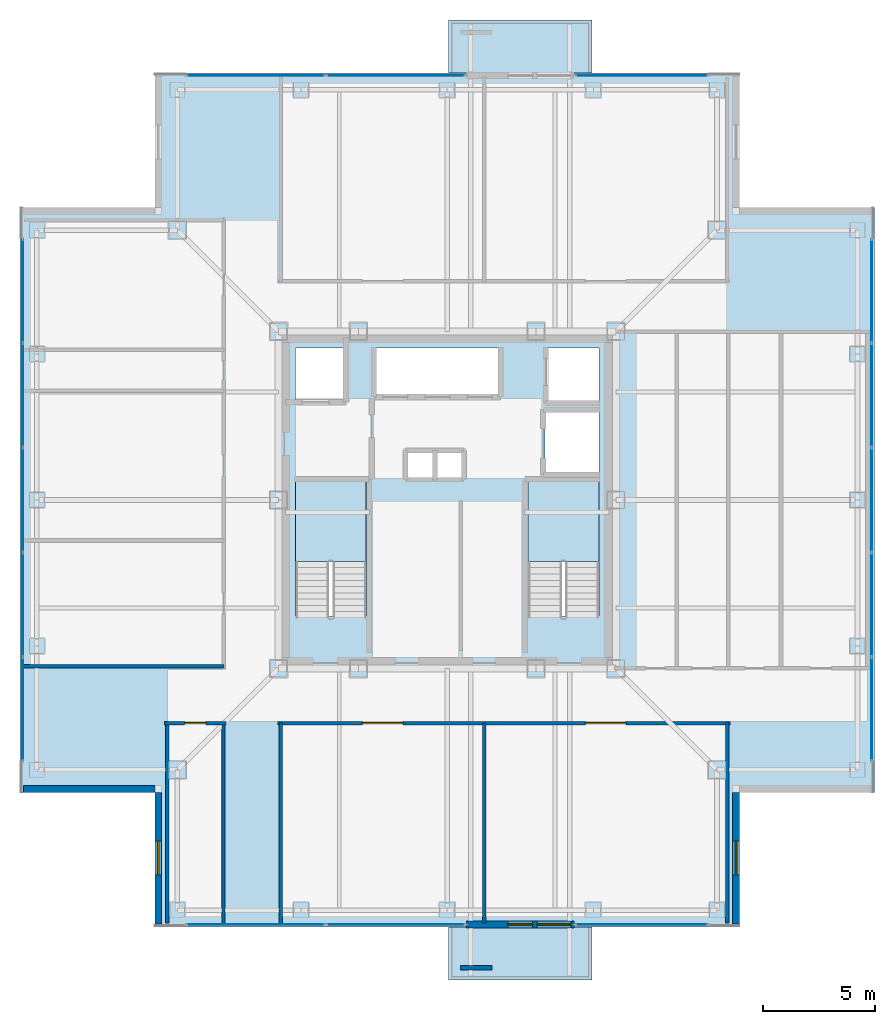
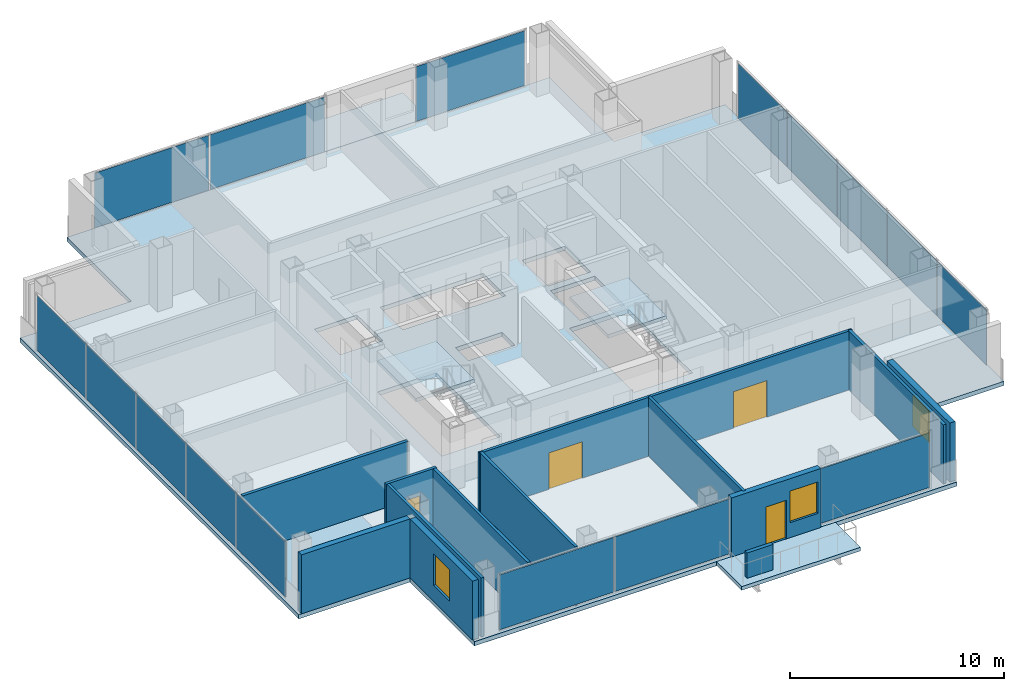
# One storey, part 7 of 15: 16 plates, 13 walls, 5 slabs, 4 doors, 3 windows, 7 openings, 8 elements without a shape of their own.
"""IFC4 building model written with IfcOpenShell, lengths in metres."""

from ifc_helpers import new_model, si_unit, direction, frame, frame_2d, origin, origin_2d, place, context, subcontext, project, spatial, polyline, rectangle, outline, extrude, material, layer, layer_set, type_object, element, fill, aggregate, save


model = new_model("IFC4")

# Units and contexts
model_context = context("Model", 3, precision=1e-05, world=origin(), true_north=direction((0.0, 1.0)))
body_context = subcontext(model_context, "Body", "Model", "MODEL_VIEW")
ifc_project = project(units=[si_unit("LENGTHUNIT", "METRE"), si_unit("AREAUNIT", "SQUARE_METRE"), si_unit("VOLUMEUNIT", "CUBIC_METRE"), si_unit("PLANEANGLEUNIT", "RADIAN"), si_unit("MASSUNIT", "GRAM", prefix="KILO")], contexts=[model_context])

# Site, building, storey
site_placement = place(None, origin())
site = spatial("IfcSite", under=ifc_project, at=site_placement, CompositionType="ELEMENT")
building_placement = place(site_placement, origin())
building = spatial("IfcBuilding", under=site, at=building_placement, Name="Trevonay Congress Spire", CompositionType="ELEMENT")
storey_placement = place(building_placement, frame((0.0, 0.0, 275.60009765625)))
storey = spatial("IfcBuildingStorey", under=building, at=storey_placement, Name="L72", CompositionType="ELEMENT", Elevation=275.60009765625)

# Curtain wall, plates
ifc_material_1 = material(Name="Pale Anodised Aluminium EN AW-6063-T6", Category="aluminium")
ifc_layer_1 = layer(ifc_material_1, 0.1650390625, Name="Pale Anodised Aluminium EN AW-6063-T6")
ifc_layer_set_1 = layer_set([ifc_layer_1], Name="Pale Anodised Aluminium EN AW-6063-T6")
curtain_wall_type = type_object("IfcCurtainWallType", Name="CW-SYS05-DIPLOM-PALE-METAL", PredefinedType="NOTDEFINED", material=ifc_layer_set_1)
curtain_wall_1_placement = place(storey_placement, origin())
curtain_wall_1 = element("IfcCurtainWall", 1, at=curtain_wall_1_placement, inside=storey, type_object=curtain_wall_type, Name="L72 SA unitised curtain wall", PredefinedType="NOTDEFINED")
ifc_material_2 = material(Name="Insulated Low-E Vision Glass IGU", Category="glass")
ifc_layer_2 = layer(ifc_material_2, 0.035888671875, Name="Insulated Low-E Vision Glass IGU")
ifc_layer_set_2 = layer_set([ifc_layer_2], Name="Insulated Low-E Vision Glass IGU")
plate_type = type_object("IfcPlateType", Name="CW-PANEL-IGU36-SILVER", PredefinedType="CURTAIN_PANEL", material=ifc_layer_set_2)
plate_1_placement = place(storey_placement, frame((-8.510009765625, -18.8798828125, 0.119873046875), z_axis=(0.0, 0.0, 1.0), x_axis=(1.0, 0.0, 0.0)))
plate_1 = element("IfcPlate", 2, at=plate_1_placement, type_object=plate_type, Name="CW05 panel 1.1", PredefinedType="CURTAIN_PANEL", context=body_context, shape_type="SweptSolid", body=[
    extrude(rectangle(XDim=6.159912109375, YDim=0.035888671875, at=origin_2d()), origin(), (0.0, 0.0, 1.0), 3.1201171875),
])
plate_2_placement = place(storey_placement, frame((-2.2900390625, -18.8798828125, 0.119873046875), z_axis=(0.0, 0.0, 1.0), x_axis=(1.0, 0.0, 0.0)))
plate_2 = element("IfcPlate", 3, at=plate_2_placement, type_object=plate_type, Name="CW05 panel 2.1", PredefinedType="CURTAIN_PANEL", context=body_context, shape_type="SweptSolid", body=[
    extrude(rectangle(XDim=6.159912109375, YDim=0.035888671875, at=origin_2d()), origin(), (0.0, 0.0, 1.0), 3.1201171875),
])
aggregate(curtain_wall_1, [plate_1, plate_2])

# Curtain wall, plate
curtain_wall_2_placement = place(storey_placement, origin())
curtain_wall_2 = element("IfcCurtainWall", 4, at=curtain_wall_2_placement, inside=storey, type_object=curtain_wall_type, Name="L72 SB unitised curtain wall", PredefinedType="NOTDEFINED")
plate_3_placement = place(storey_placement, frame((8.64990234375, -18.8798828125, 0.119873046875), z_axis=(0.0, 0.0, 1.0), x_axis=(1.0, 0.0, 0.0)))
plate_3 = element("IfcPlate", 5, at=plate_3_placement, type_object=plate_type, Name="CW05 panel 1.1", PredefinedType="CURTAIN_PANEL", context=body_context, shape_type="SweptSolid", body=[
    extrude(rectangle(XDim=5.8798828125, YDim=0.035888671875, at=origin_2d()), origin(), (0.0, 0.0, 1.0), 3.1201171875),
])
aggregate(curtain_wall_2, [plate_3])

# Curtain wall, plates
curtain_wall_3_placement = place(storey_placement, origin())
curtain_wall_3 = element("IfcCurtainWall", 6, at=curtain_wall_3_placement, inside=storey, type_object=curtain_wall_type, Name="L72 NA unitised curtain wall", PredefinedType="NOTDEFINED")
plate_4_placement = place(storey_placement, frame((-8.510009765625, 18.8798828125, 0.119873046875), z_axis=(0.0, 0.0, 1.0), x_axis=(1.0, 0.0, 0.0)))
plate_4 = element("IfcPlate", 7, at=plate_4_placement, type_object=plate_type, Name="CW05 panel 1.1", PredefinedType="CURTAIN_PANEL", context=body_context, shape_type="SweptSolid", body=[
    extrude(rectangle(XDim=6.159912109375, YDim=0.035888671875, at=origin_2d()), origin(), (0.0, 0.0, 1.0), 3.1201171875),
])
plate_5_placement = place(storey_placement, frame((-2.2900390625, 18.8798828125, 0.119873046875), z_axis=(0.0, 0.0, 1.0), x_axis=(1.0, 0.0, 0.0)))
plate_5 = element("IfcPlate", 8, at=plate_5_placement, type_object=plate_type, Name="CW05 panel 2.1", PredefinedType="CURTAIN_PANEL", context=body_context, shape_type="SweptSolid", body=[
    extrude(rectangle(XDim=6.159912109375, YDim=0.035888671875, at=origin_2d()), origin(), (0.0, 0.0, 1.0), 3.1201171875),
])
aggregate(curtain_wall_3, [plate_4, plate_5])

# Curtain wall, plate
curtain_wall_4_placement = place(storey_placement, origin())
curtain_wall_4 = element("IfcCurtainWall", 9, at=curtain_wall_4_placement, inside=storey, type_object=curtain_wall_type, Name="L72 NB unitised curtain wall", PredefinedType="NOTDEFINED")
plate_6_placement = place(storey_placement, frame((8.64990234375, 18.8798828125, 0.119873046875), z_axis=(0.0, 0.0, 1.0), x_axis=(1.0, 0.0, 0.0)))
plate_6 = element("IfcPlate", 10, at=plate_6_placement, type_object=plate_type, Name="CW05 panel 1.1", PredefinedType="CURTAIN_PANEL", context=body_context, shape_type="SweptSolid", body=[
    extrude(rectangle(XDim=5.8798828125, YDim=0.035888671875, at=origin_2d()), origin(), (0.0, 0.0, 1.0), 3.1201171875),
])
aggregate(curtain_wall_4, [plate_6])

# Curtain wall, plates
curtain_wall_5_placement = place(storey_placement, origin())
curtain_wall_5 = element("IfcCurtainWall", 11, at=curtain_wall_5_placement, inside=storey, type_object=curtain_wall_type, Name="L72 W unitised curtain wall", PredefinedType="NOTDEFINED")
plate_7_placement = place(storey_placement, frame((-18.8798828125, -9.304931640625, 0.119873046875), z_axis=(0.0, 0.0, 1.0), x_axis=(0.0, 1.0, 0.0)))
plate_7 = element("IfcPlate", 12, at=plate_7_placement, type_object=plate_type, Name="CW05 panel 1.1", PredefinedType="CURTAIN_PANEL", context=body_context, shape_type="SweptSolid", body=[
    extrude(rectangle(XDim=4.570068359375, YDim=0.035888671875, at=origin_2d()), origin(), (0.0, 0.0, 1.0), 3.1201171875),
])
plate_8_placement = place(storey_placement, frame((-18.8798828125, -4.659912109375, 0.119873046875), z_axis=(0.0, 0.0, 1.0), x_axis=(0.0, 1.0, 0.0)))
plate_8 = element("IfcPlate", 13, at=plate_8_placement, type_object=plate_type, Name="CW05 panel 2.1", PredefinedType="CURTAIN_PANEL", context=body_context, shape_type="SweptSolid", body=[
    extrude(rectangle(XDim=4.60009765625, YDim=0.035888671875, at=origin_2d()), origin(), (0.0, 0.0, 1.0), 3.1201171875),
])
plate_9_placement = place(storey_placement, frame((-18.8798828125, 0.0, 0.119873046875), z_axis=(0.0, 0.0, 1.0), x_axis=(0.0, 1.0, 0.0)))
plate_9 = element("IfcPlate", 14, at=plate_9_placement, type_object=plate_type, Name="CW05 panel 3.1", PredefinedType="CURTAIN_PANEL", context=body_context, shape_type="SweptSolid", body=[
    extrude(rectangle(XDim=4.60009765625, YDim=0.035888671875, at=origin_2d()), origin(), (0.0, 0.0, 1.0), 3.1201171875),
])
plate_10_placement = place(storey_placement, frame((-18.8798828125, 4.659912109375, 0.119873046875), z_axis=(0.0, 0.0, 1.0), x_axis=(0.0, 1.0, 0.0)))
plate_10 = element("IfcPlate", 15, at=plate_10_placement, type_object=plate_type, Name="CW05 panel 4.1", PredefinedType="CURTAIN_PANEL", context=body_context, shape_type="SweptSolid", body=[
    extrude(rectangle(XDim=4.60009765625, YDim=0.035888671875, at=origin_2d()), origin(), (0.0, 0.0, 1.0), 3.1201171875),
])
plate_11_placement = place(storey_placement, frame((-18.8798828125, 9.304931640625, 0.119873046875), z_axis=(0.0, 0.0, 1.0), x_axis=(0.0, 1.0, 0.0)))
plate_11 = element("IfcPlate", 16, at=plate_11_placement, type_object=plate_type, Name="CW05 panel 5.1", PredefinedType="CURTAIN_PANEL", context=body_context, shape_type="SweptSolid", body=[
    extrude(rectangle(XDim=4.570068359375, YDim=0.035888671875, at=origin_2d()), origin(), (0.0, 0.0, 1.0), 3.1201171875),
])
aggregate(curtain_wall_5, [plate_7, plate_8, plate_9, plate_10, plate_11])

curtain_wall_6_placement = place(storey_placement, origin())
curtain_wall_6 = element("IfcCurtainWall", 17, at=curtain_wall_6_placement, inside=storey, type_object=curtain_wall_type, Name="L72 E unitised curtain wall", PredefinedType="NOTDEFINED")
plate_12_placement = place(storey_placement, frame((18.8798828125, -9.304931640625, 0.119873046875), z_axis=(0.0, 0.0, 1.0), x_axis=(0.0, 1.0, 0.0)))
plate_12 = element("IfcPlate", 18, at=plate_12_placement, type_object=plate_type, Name="CW05 panel 1.1", PredefinedType="CURTAIN_PANEL", context=body_context, shape_type="SweptSolid", body=[
    extrude(rectangle(XDim=4.570068359375, YDim=0.035888671875, at=origin_2d()), origin(), (0.0, 0.0, 1.0), 3.1201171875),
])
plate_13_placement = place(storey_placement, frame((18.8798828125, -4.659912109375, 0.119873046875), z_axis=(0.0, 0.0, 1.0), x_axis=(0.0, 1.0, 0.0)))
plate_13 = element("IfcPlate", 19, at=plate_13_placement, type_object=plate_type, Name="CW05 panel 2.1", PredefinedType="CURTAIN_PANEL", context=body_context, shape_type="SweptSolid", body=[
    extrude(rectangle(XDim=4.60009765625, YDim=0.035888671875, at=origin_2d()), origin(), (0.0, 0.0, 1.0), 3.1201171875),
])
plate_14_placement = place(storey_placement, frame((18.8798828125, 0.0, 0.119873046875), z_axis=(0.0, 0.0, 1.0), x_axis=(0.0, 1.0, 0.0)))
plate_14 = element("IfcPlate", 20, at=plate_14_placement, type_object=plate_type, Name="CW05 panel 3.1", PredefinedType="CURTAIN_PANEL", context=body_context, shape_type="SweptSolid", body=[
    extrude(rectangle(XDim=4.60009765625, YDim=0.035888671875, at=origin_2d()), origin(), (0.0, 0.0, 1.0), 3.1201171875),
])
plate_15_placement = place(storey_placement, frame((18.8798828125, 4.659912109375, 0.119873046875), z_axis=(0.0, 0.0, 1.0), x_axis=(0.0, 1.0, 0.0)))
plate_15 = element("IfcPlate", 21, at=plate_15_placement, type_object=plate_type, Name="CW05 panel 4.1", PredefinedType="CURTAIN_PANEL", context=body_context, shape_type="SweptSolid", body=[
    extrude(rectangle(XDim=4.60009765625, YDim=0.035888671875, at=origin_2d()), origin(), (0.0, 0.0, 1.0), 3.1201171875),
])
plate_16_placement = place(storey_placement, frame((18.8798828125, 9.304931640625, 0.119873046875), z_axis=(0.0, 0.0, 1.0), x_axis=(0.0, 1.0, 0.0)))
plate_16 = element("IfcPlate", 22, at=plate_16_placement, type_object=plate_type, Name="CW05 panel 5.1", PredefinedType="CURTAIN_PANEL", context=body_context, shape_type="SweptSolid", body=[
    extrude(rectangle(XDim=4.570068359375, YDim=0.035888671875, at=origin_2d()), origin(), (0.0, 0.0, 1.0), 3.1201171875),
])
aggregate(curtain_wall_6, [plate_12, plate_13, plate_14, plate_15, plate_16])

# Stair, slab
ifc_material_3 = material(Name="Concrete C40/50", Category="concrete")
stair_type_1 = type_object("IfcStairType", Name="STR-ST-1", PredefinedType="HALF_TURN_STAIR", material=ifc_material_3)
stair_1_placement = place(storey_placement, origin())
stair_1 = element("IfcStair", 23, at=stair_1_placement, inside=storey, type_object=stair_type_1, Name="L72 Protected Exit Stair ST-1", PredefinedType="HALF_TURN_STAIR")
ifc_layer_3 = layer(ifc_material_3, 0.199951171875, Name="Concrete C40/50")
ifc_layer_set_3 = layer_set([ifc_layer_3], Name="Concrete C40/50")
slab_type_1 = type_object("IfcSlabType", Name="SLB-STAIR-LAND-200", PredefinedType="LANDING", material=ifc_layer_set_3)
slab_1_placement = place(storey_placement, frame((0.0, 0.0, 1.599853515625)))
slab_1 = element("IfcSlab", 24, at=slab_1_placement, type_object=slab_type_1, Name="ST-1 landing 1", PredefinedType="LANDING", context=body_context, shape_type="SweptSolid", body=[
    extrude(outline(polyline([(-3.60009765625, -2.72998046875), (-3.60009765625, 0.85009765625), (-6.75, 0.85009765625), (-6.75, -2.72998046875), (-3.60009765625, -2.72998046875)])), origin(), (0.0, 0.0, 1.0), 0.199951171875),
])
aggregate(stair_1, [slab_1])

stair_type_2 = type_object("IfcStairType", Name="STR-ST-2", PredefinedType="HALF_TURN_STAIR", material=ifc_material_3)
stair_2_placement = place(storey_placement, origin())
stair_2 = element("IfcStair", 25, at=stair_2_placement, inside=storey, type_object=stair_type_2, Name="L72 Protected Exit Stair ST-2", PredefinedType="HALF_TURN_STAIR")
slab_2_placement = place(storey_placement, frame((0.0, 0.0, 1.599853515625)))
slab_2 = element("IfcSlab", 26, at=slab_2_placement, type_object=slab_type_1, Name="ST-2 landing 1", PredefinedType="LANDING", context=body_context, shape_type="SweptSolid", body=[
    extrude(outline(polyline([(6.75, -2.72998046875), (6.75, 0.85009765625), (3.60009765625, 0.85009765625), (3.60009765625, -2.72998046875), (6.75, -2.72998046875)])), origin(), (0.0, 0.0, 1.0), 0.199951171875),
])
aggregate(stair_2, [slab_2])

# Slabs
ifc_layer_4 = layer(ifc_material_3, 0.239990234375, Name="Concrete C40/50")
ifc_layer_set_4 = layer_set([ifc_layer_4], Name="Concrete C40/50")
slab_type_2 = type_object("IfcSlabType", Name="SLB-TOW2-240", PredefinedType="FLOOR", material=ifc_layer_set_4)
slab_3_placement = place(storey_placement, frame((0.0, 0.0, -0.239990234375)))
element("IfcSlab", 27, at=slab_3_placement, inside=storey, type_object=slab_type_2, Name="L72 structural floor slab", PredefinedType="FLOOR", context=body_context, shape_type="SweptSolid", body=[
    extrude(outline(polyline([(-13.0, -19.0), (13.0, -19.0), (13.0, -13.0), (19.0, -13.0), (19.0, 13.0), (13.0, 13.0), (13.0, 19.0), (-13.0, 19.0), (-13.0, 13.0), (-19.0, 13.0), (-19.0, -13.0), (-13.0, -13.0), (-13.0, -19.0)]), holes=[polyline([(-3.60009765625, -5.14990234375), (-3.60009765625, 0.85009765625), (-6.75, 0.85009765625), (-6.75, -5.14990234375), (-3.60009765625, -5.14990234375)]), polyline([(6.75, -5.14990234375), (6.75, 0.85009765625), (3.60009765625, 0.85009765625), (3.60009765625, -5.14990234375), (6.75, -5.14990234375)]), polyline([(-3.199951171875, 4.64990234375), (2.340087890625, 4.64990234375), (2.340087890625, 6.75), (-3.199951171875, 6.75), (-3.199951171875, 4.64990234375)]), polyline([(-6.75, 4.35009765625), (-4.449951171875, 4.35009765625), (-4.449951171875, 6.75), (-6.75, 6.75), (-6.75, 4.35009765625)]), polyline([(4.449951171875, 4.35009765625), (6.75, 4.35009765625), (6.75, 6.75), (4.449951171875, 6.75), (4.449951171875, 4.35009765625)]), polyline([(4.35009765625, 1.199951171875), (6.75, 1.199951171875), (6.75, 3.949951171875), (4.35009765625, 3.949951171875), (4.35009765625, 1.199951171875)]), polyline([(-1.800048828125, 0.949951171875), (0.699951171875, 0.949951171875), (0.699951171875, 2.14990234375), (-1.800048828125, 2.14990234375), (-1.800048828125, 0.949951171875)])]), origin(), (0.0, 0.0, 1.0), 0.239990234375),
])
ifc_layer_5 = layer(ifc_material_3, 0.2099609375, Name="Concrete C40/50")
ifc_layer_set_5 = layer_set([ifc_layer_5], Name="Concrete C40/50")
slab_type_3 = type_object("IfcSlabType", Name="SLB-TREEBAL-210", PredefinedType="FLOOR", material=ifc_layer_set_5)
slab_4_placement = place(storey_placement, frame((0.0, 0.0, -0.210205078125)))
element("IfcSlab", 28, at=slab_4_placement, inside=storey, type_object=slab_type_3, Name="L72 cantilevered tree-planter balcony pod S", PredefinedType="FLOOR", context=body_context, shape_type="SweptSolid", body=[
    extrude(outline(polyline([(0.050048828125, -21.35009765625), (6.449951171875, -21.35009765625), (6.449951171875, -19.0), (0.050048828125, -19.0), (0.050048828125, -21.35009765625)])), origin(), (0.0, 0.0, 1.0), 0.210205078125),
])
slab_5_placement = place(storey_placement, frame((0.0, 0.0, -0.210205078125)))
element("IfcSlab", 29, at=slab_5_placement, inside=storey, type_object=slab_type_3, Name="L72 cantilevered tree-planter balcony pod N", PredefinedType="FLOOR", context=body_context, shape_type="SweptSolid", body=[
    extrude(outline(polyline([(0.050048828125, 19.0), (6.449951171875, 19.0), (6.449951171875, 21.35009765625), (0.050048828125, 21.35009765625), (0.050048828125, 19.0)])), origin(), (0.0, 0.0, 1.0), 0.210205078125),
])

# Wall, opening, door
ifc_layer_6 = layer(ifc_material_3, 0.14990234375, Name="Concrete C40/50")
ifc_layer_set_6 = layer_set([ifc_layer_6], Name="Concrete C40/50")
wall_type_1 = type_object("IfcWallType", Name="WAL-CORR-150", PredefinedType="PARTITIONING", material=ifc_layer_set_6)
wall_1_placement = place(storey_placement, frame((-12.570068359375, -9.929931640625, 0.0), z_axis=(0.0, 0.0, 1.0), x_axis=(1.0, 0.0, 0.0)))
wall_1 = element("IfcWall", 30, at=wall_1_placement, inside=storey, type_object=wall_type_1, Name="L72 interior wall WP-L72SW-COR", PredefinedType="PARTITIONING", context=body_context, shape_type="SweptSolid", body=[
    extrude(rectangle(XDim=2.739990234375, YDim=0.14990234375, at=frame_2d((1.3701171875, 0.0))), origin(), (0.0, 0.0, 1.0), 3.35986328125),
])
opening_1_placement = place(wall_1_placement, frame((0.89501953125, 0.0, 0.0)))
opening_1 = element("IfcOpeningElement", 31, at=opening_1_placement, cuts=wall_1, Name="Opening D07", PredefinedType="OPENING", context=body_context, shape_type="SweptSolid", body=[
    extrude(rectangle(XDim=0.949951171875, YDim=2.06005859375, at=frame_2d((0.47509765625, 1.030029296875))), frame((0.0, 0.0849609375, 0.0), z_axis=(0.0, -1.0, 0.0), x_axis=(1.0, 0.0, 0.0)), (0.0, 0.0, 1.0), 0.169921875),
])
door_type_1 = type_object("IfcDoorType", Name="DOR-OFFICE-95", OperationType="NOTDEFINED", PredefinedType="DOOR", material=ifc_material_1)
door_1_placement = place(opening_1_placement, origin())
door_1 = element("IfcDoor", 32, at=door_1_placement, inside=storey, type_object=door_type_1, Name="L72 Managing Director Suite Office Door", OperationType="SINGLE_SWING_LEFT", OverallHeight=2.06005859375, OverallWidth=0.949951171875, PredefinedType="DOOR", context=body_context, shape_type="SweptSolid", body=[
    extrude(rectangle(XDim=0.949951171875, YDim=2.06005859375, at=frame_2d((0.47509765625, 1.030029296875))), frame((0.0, 0.02490234375, 0.0), z_axis=(0.0, -1.0, 0.0), x_axis=(1.0, 0.0, 0.0)), (0.0, 0.0, 1.0), 0.050048828125),
])
fill(opening_1, door_1)

# Wall, openings, doors
wall_2_placement = place(storey_placement, frame((-7.52001953125, -9.929931640625, 0.0), z_axis=(0.0, 0.0, 1.0), x_axis=(1.0, 0.0, 0.0)))
wall_2 = element("IfcWall", 33, at=wall_2_placement, inside=storey, type_object=wall_type_1, Name="L72 interior wall WP-L72SE-COR", PredefinedType="PARTITIONING", context=body_context, shape_type="SweptSolid", body=[
    extrude(rectangle(XDim=20.090087890625, YDim=0.14990234375, at=frame_2d((10.044921875, 0.0))), origin(), (0.0, 0.0, 1.0), 3.35986328125),
])
opening_2_placement = place(wall_2_placement, frame((3.7451171875, 0.0, 0.0)))
opening_2 = element("IfcOpeningElement", 34, at=opening_2_placement, cuts=wall_2, Name="Opening D09", PredefinedType="OPENING", context=body_context, shape_type="SweptSolid", body=[
    extrude(rectangle(XDim=1.800048828125, YDim=2.080078125, at=frame_2d((0.89990234375, 1.0400390625))), frame((0.0, 0.0849609375, 0.0), z_axis=(0.0, -1.0, 0.0), x_axis=(1.0, 0.0, 0.0)), (0.0, 0.0, 1.0), 0.169921875),
])
opening_3_placement = place(wall_2_placement, frame((13.669921875, 0.0, 0.0)))
opening_3 = element("IfcOpeningElement", 35, at=opening_3_placement, cuts=wall_2, Name="Opening D09", PredefinedType="OPENING", context=body_context, shape_type="SweptSolid", body=[
    extrude(rectangle(XDim=1.800048828125, YDim=2.080078125, at=frame_2d((0.89990234375, 1.0400390625))), frame((0.0, 0.0849609375, 0.0), z_axis=(0.0, -1.0, 0.0), x_axis=(1.0, 0.0, 0.0)), (0.0, 0.0, 1.0), 0.169921875),
])
door_type_2 = type_object("IfcDoorType", Name="DOR-CONF-DBL", OperationType="DOUBLE_DOOR_SINGLE_SWING", PredefinedType="DOOR", material=ifc_material_1)
door_2_placement = place(opening_2_placement, origin())
door_2 = element("IfcDoor", 36, at=door_2_placement, inside=storey, type_object=door_type_2, Name="L72 Investment Committee Boardroom Door", OperationType="DOUBLE_DOOR_SINGLE_SWING", OverallHeight=2.080078125, OverallWidth=1.800048828125, PredefinedType="DOOR", context=body_context, shape_type="SweptSolid", body=[
    extrude(rectangle(XDim=1.800048828125, YDim=2.080078125, at=frame_2d((0.89990234375, 1.0400390625))), frame((0.0, 0.02490234375, 0.0), z_axis=(0.0, -1.0, 0.0), x_axis=(1.0, 0.0, 0.0)), (0.0, 0.0, 1.0), 0.050048828125),
])
fill(opening_2, door_2)
door_3_placement = place(opening_3_placement, origin())
door_3 = element("IfcDoor", 37, at=door_3_placement, inside=storey, type_object=door_type_2, Name="L72 LP Advisory Boardroom Door", OperationType="DOUBLE_DOOR_SINGLE_SWING", OverallHeight=2.080078125, OverallWidth=1.800048828125, PredefinedType="DOOR", context=body_context, shape_type="SweptSolid", body=[
    extrude(rectangle(XDim=1.800048828125, YDim=2.080078125, at=frame_2d((0.89990234375, 1.0400390625))), frame((0.0, 0.02490234375, 0.0), z_axis=(0.0, -1.0, 0.0), x_axis=(1.0, 0.0, 0.0)), (0.0, 0.0, 1.0), 0.050048828125),
])
fill(opening_3, door_3)

# Wall, openings, door, window
ifc_material_4 = material(Name="Precast concrete C40/50", Category="concrete")
ifc_layer_7 = layer(ifc_material_4, 0.300048828125, Name="Precast concrete C40/50")
ifc_layer_set_7 = layer_set([ifc_layer_7], Name="Precast concrete C40/50")
wall_type_2 = type_object("IfcWallType", Name="WAL-EXT-PRECAST-300", PredefinedType="SOLIDWALL", material=ifc_layer_set_7)
wall_3_placement = place(storey_placement, frame((0.85009765625, -18.8798828125, 0.0), z_axis=(0.0, 0.0, 1.0), x_axis=(1.0, 0.0, 0.0)))
wall_3 = element("IfcWall", 38, at=wall_3_placement, inside=storey, type_object=wall_type_2, Name="L72 S glazed balcony portal exterior wall", PredefinedType="SOLIDWALL", context=body_context, shape_type="SweptSolid", body=[
    extrude(rectangle(XDim=4.7998046875, YDim=0.300048828125, at=frame_2d((2.39990234375, 0.0))), origin(), (0.0, 0.0, 1.0), 3.35986328125),
])
opening_4_placement = place(wall_3_placement, frame((1.85009765625, 0.0, 0.0)))
opening_4 = element("IfcOpeningElement", 39, at=opening_4_placement, cuts=wall_3, Name="Opening D03", PredefinedType="OPENING", context=body_context, shape_type="SweptSolid", body=[
    extrude(rectangle(XDim=1.10009765625, YDim=2.199951171875, at=frame_2d((0.550048828125, 1.10009765625))), frame((0.0, 0.16015625, 0.0), z_axis=(0.0, -1.0, 0.0), x_axis=(1.0, 0.0, 0.0)), (0.0, 0.0, 1.0), 0.320068359375),
])
opening_5_placement = place(wall_3_placement, frame((3.14990234375, 0.0, 0.85009765625)))
opening_5 = element("IfcOpeningElement", 40, at=opening_5_placement, cuts=wall_3, Name="Opening WN03", PredefinedType="OPENING", context=body_context, shape_type="SweptSolid", body=[
    extrude(rectangle(XDim=1.5, YDim=1.800048828125, at=frame_2d((0.75, 0.89990234375))), frame((0.0, 0.16015625, 0.0), z_axis=(0.0, -1.0, 0.0), x_axis=(1.0, 0.0, 0.0)), (0.0, 0.0, 1.0), 0.320068359375),
])
door_type_3 = type_object("IfcDoorType", Name="DOR-EXT-BAL-110", OperationType="NOTDEFINED", PredefinedType="DOOR", material=ifc_material_1)
door_4_placement = place(opening_4_placement, origin())
door_4 = element("IfcDoor", 41, at=door_4_placement, inside=storey, type_object=door_type_3, Name="L72 S glazed outdoor terrace and balcony door", OperationType="SINGLE_SWING_LEFT", OverallHeight=2.199951171875, OverallWidth=1.10009765625, PredefinedType="DOOR", context=body_context, shape_type="SweptSolid", body=[
    extrude(rectangle(XDim=1.10009765625, YDim=2.199951171875, at=frame_2d((0.550048828125, 1.10009765625))), frame((0.0, 0.02490234375, 0.0), z_axis=(0.0, -1.0, 0.0), x_axis=(1.0, 0.0, 0.0)), (0.0, 0.0, 1.0), 0.050048828125),
])
fill(opening_4, door_4)
window_type = type_object("IfcWindowType", Name="WIN-NOTCH-150X180", PartitioningType="SINGLE_PANEL", PredefinedType="WINDOW", material=ifc_material_2)
window_1_placement = place(opening_5_placement, origin())
window_1 = element("IfcWindow", 42, at=window_1_placement, inside=storey, type_object=window_type, Name="L72 S balcony sidelight window R", OverallHeight=1.800048828125, OverallWidth=1.5, PartitioningType="SINGLE_PANEL", PredefinedType="WINDOW", context=body_context, shape_type="SweptSolid", body=[
    extrude(rectangle(XDim=1.5, YDim=1.800048828125, at=frame_2d((0.75, 0.89990234375))), frame((0.0, 0.030029296875, 0.0), z_axis=(0.0, -1.0, 0.0), x_axis=(1.0, 0.0, 0.0)), (0.0, 0.0, 1.0), 0.06005859375),
])
fill(opening_5, window_1)

# Wall, opening, window
wall_4_placement = place(storey_placement, frame((-12.85009765625, -18.85009765625, 0.0), z_axis=(0.0, 0.0, 1.0), x_axis=(0.0, 1.0, 0.0)))
wall_4 = element("IfcWall", 43, at=wall_4_placement, inside=storey, type_object=wall_type_2, Name="L72 SW re-entrant notch exterior wall 1", PredefinedType="SOLIDWALL", context=body_context, shape_type="SweptSolid", body=[
    extrude(rectangle(XDim=5.85009765625, YDim=0.300048828125, at=frame_2d((2.925048828125, 0.0))), origin(), (0.0, 0.0, 1.0), 3.35986328125),
])
opening_6_placement = place(wall_4_placement, frame((2.175048828125, 0.0, 0.89990234375)))
opening_6 = element("IfcOpeningElement", 44, at=opening_6_placement, cuts=wall_4, Name="Opening WN03", PredefinedType="OPENING", context=body_context, shape_type="SweptSolid", body=[
    extrude(rectangle(XDim=1.5, YDim=1.800048828125, at=frame_2d((0.75, 0.89990234375))), frame((0.0, 0.16015625, 0.0), z_axis=(0.0, -1.0, 0.0), x_axis=(1.0, 0.0, 0.0)), (0.0, 0.0, 1.0), 0.320068359375),
])
window_2_placement = place(opening_6_placement, origin())
window_2 = element("IfcWindow", 45, at=window_2_placement, inside=storey, type_object=window_type, Name="L72 SW corner notch window", OverallHeight=1.800048828125, OverallWidth=1.5, PartitioningType="SINGLE_PANEL", PredefinedType="WINDOW", context=body_context, shape_type="SweptSolid", body=[
    extrude(rectangle(XDim=1.5, YDim=1.800048828125, at=frame_2d((0.75, 0.89990234375))), frame((0.0, 0.030029296875, 0.0), z_axis=(0.0, -1.0, 0.0), x_axis=(1.0, 0.0, 0.0)), (0.0, 0.0, 1.0), 0.06005859375),
])
fill(opening_6, window_2)

# Wall
wall_5_placement = place(storey_placement, frame((-18.85009765625, -12.85009765625, 0.0), z_axis=(0.0, 0.0, 1.0), x_axis=(1.0, 0.0, 0.0)))
element("IfcWall", 46, at=wall_5_placement, inside=storey, type_object=wall_type_2, Name="L72 SW re-entrant notch exterior wall 2", PredefinedType="SOLIDWALL", context=body_context, shape_type="SweptSolid", body=[
    extrude(rectangle(XDim=5.85009765625, YDim=0.300048828125, at=frame_2d((2.925048828125, 0.0))), origin(), (0.0, 0.0, 1.0), 3.35986328125),
])

# Wall, opening, window
wall_6_placement = place(storey_placement, frame((12.85009765625, -18.85009765625, 0.0), z_axis=(0.0, 0.0, 1.0), x_axis=(0.0, 1.0, 0.0)))
wall_6 = element("IfcWall", 47, at=wall_6_placement, inside=storey, type_object=wall_type_2, Name="L72 SE re-entrant notch exterior wall 1", PredefinedType="SOLIDWALL", context=body_context, shape_type="SweptSolid", body=[
    extrude(rectangle(XDim=5.85009765625, YDim=0.300048828125, at=frame_2d((2.925048828125, 0.0))), origin(), (0.0, 0.0, 1.0), 3.35986328125),
])
opening_7_placement = place(wall_6_placement, frame((2.175048828125, 0.0, 0.89990234375)))
opening_7 = element("IfcOpeningElement", 48, at=opening_7_placement, cuts=wall_6, Name="Opening WN03", PredefinedType="OPENING", context=body_context, shape_type="SweptSolid", body=[
    extrude(rectangle(XDim=1.5, YDim=1.800048828125, at=frame_2d((0.75, 0.89990234375))), frame((0.0, 0.16015625, 0.0), z_axis=(0.0, -1.0, 0.0), x_axis=(1.0, 0.0, 0.0)), (0.0, 0.0, 1.0), 0.320068359375),
])
window_3_placement = place(opening_7_placement, origin())
window_3 = element("IfcWindow", 49, at=window_3_placement, inside=storey, type_object=window_type, Name="L72 SE corner notch window", OverallHeight=1.800048828125, OverallWidth=1.5, PartitioningType="SINGLE_PANEL", PredefinedType="WINDOW", context=body_context, shape_type="SweptSolid", body=[
    extrude(rectangle(XDim=1.5, YDim=1.800048828125, at=frame_2d((0.75, 0.89990234375))), frame((0.0, 0.030029296875, 0.0), z_axis=(0.0, -1.0, 0.0), x_axis=(1.0, 0.0, 0.0)), (0.0, 0.0, 1.0), 0.06005859375),
])
fill(opening_7, window_3)

# Walls
ifc_layer_8 = layer(ifc_material_3, 0.14990234375, Name="Concrete C40/50")
ifc_layer_set_8 = layer_set([ifc_layer_8], Name="Concrete C40/50")
wall_type_3 = type_object("IfcWallType", Name="WAL-PART-150", PredefinedType="PARTITIONING", material=ifc_layer_set_8)
for number, where, z_axis, x_axis, name in (
    (50, (-12.449951171875, -18.820068359375, 0.0), (0.0, 0.0, 1.0), (0.0, 1.0, 0.0), "L72 interior wall WP-L72SW-DIV1"),
    (51, (-9.949951171875, -18.820068359375, 0.0), (0.0, 0.0, 1.0), (0.0, 1.0, 0.0), "L72 interior wall WP-L72SW-DIV2"),
    (52, (-7.39990234375, -18.820068359375, 0.0), (0.0, 0.0, 1.0), (0.0, 1.0, 0.0), "L72 interior wall WP-L72SE-DIV1"),
    (53, (1.64990234375, -18.820068359375, 0.0), (0.0, 0.0, 1.0), (0.0, 1.0, 0.0), "L72 interior wall WP-L72SE-DIV2"),
    (54, (12.449951171875, -18.820068359375, 0.0), (0.0, 0.0, 1.0), (0.0, 1.0, 0.0), "L72 interior wall WP-L72SE-DIV3"),
):
    element("IfcWall", number, at=place(storey_placement, frame(where, z_axis=z_axis, x_axis=x_axis)), inside=storey, type_object=wall_type_3, Name=name, PredefinedType="PARTITIONING", context=body_context, shape_type="SweptSolid", body=[
        extrude(rectangle(XDim=8.89013671875, YDim=0.14990234375, at=frame_2d((4.445068359375, 0.0))), origin(), (0.0, 0.0, 1.0), 3.35986328125),
    ])
ifc_layer_9 = layer(ifc_material_4, 0.199951171875, Name="Precast concrete C40/50")
ifc_layer_set_9 = layer_set([ifc_layer_9], Name="Precast concrete C40/50")
wall_type_4 = type_object("IfcWallType", Name="WAL-TREE-PLANTER-200", PredefinedType="PARAPET", material=ifc_layer_set_9)
wall_7_placement = place(storey_placement, frame((0.60009765625, -20.800048828125, 0.0), z_axis=(0.0, 0.0, 1.0), x_axis=(1.0, 0.0, 0.0)))
element("IfcWall", 55, at=wall_7_placement, inside=storey, type_object=wall_type_4, Name="L72 S cantilevered balcony tree planter box", PredefinedType="PARAPET", context=body_context, shape_type="SweptSolid", body=[
    extrude(rectangle(XDim=1.39990234375, YDim=0.199951171875, at=frame_2d((0.699951171875, 0.0))), origin(), (0.0, 0.0, 1.0), 1.449951171875),
])
ifc_layer_10 = layer(ifc_material_3, 0.1650390625, Name="Concrete C40/50")
ifc_layer_set_10 = layer_set([ifc_layer_10], Name="Concrete C40/50")
wall_type_5 = type_object("IfcWallType", Name="WAL-WET-165", PredefinedType="PLUMBINGWALL", material=ifc_layer_set_10)
wall_8_placement = place(storey_placement, frame((-18.820068359375, -7.39990234375, 0.0), z_axis=(0.0, 0.0, 1.0), x_axis=(1.0, 0.0, 0.0)))
element("IfcWall", 56, at=wall_8_placement, inside=storey, type_object=wall_type_5, Name="L72 interior wall WP-L72NW-DIV1", PredefinedType="PLUMBINGWALL", context=body_context, shape_type="SweptSolid", body=[
    extrude(rectangle(XDim=8.89013671875, YDim=0.1650390625, at=frame_2d((4.445068359375, 0.0))), origin(), (0.0, 0.0, 1.0), 3.35986328125),
])

save(model, "model.ifc")
